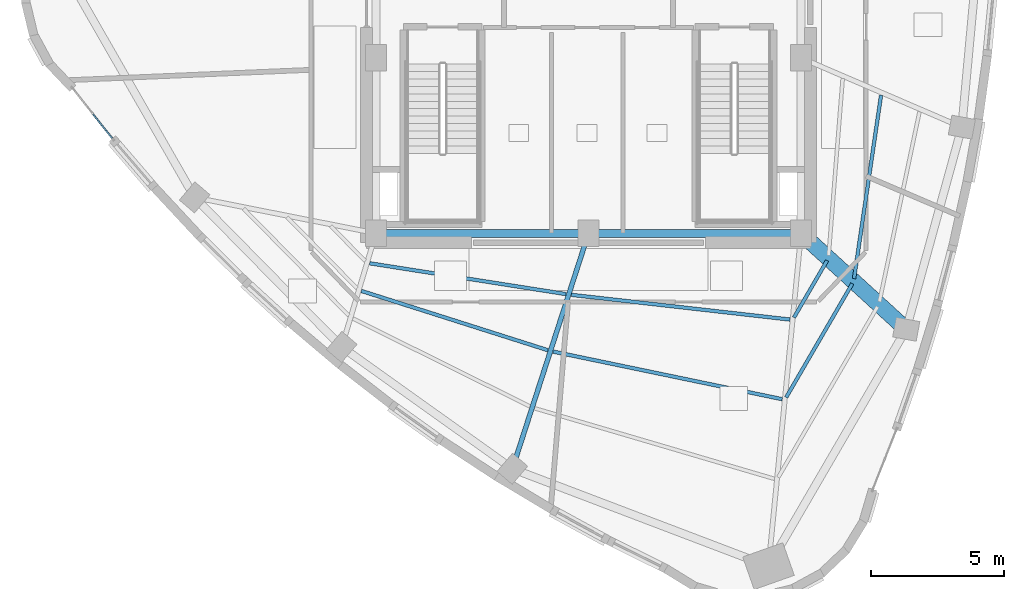
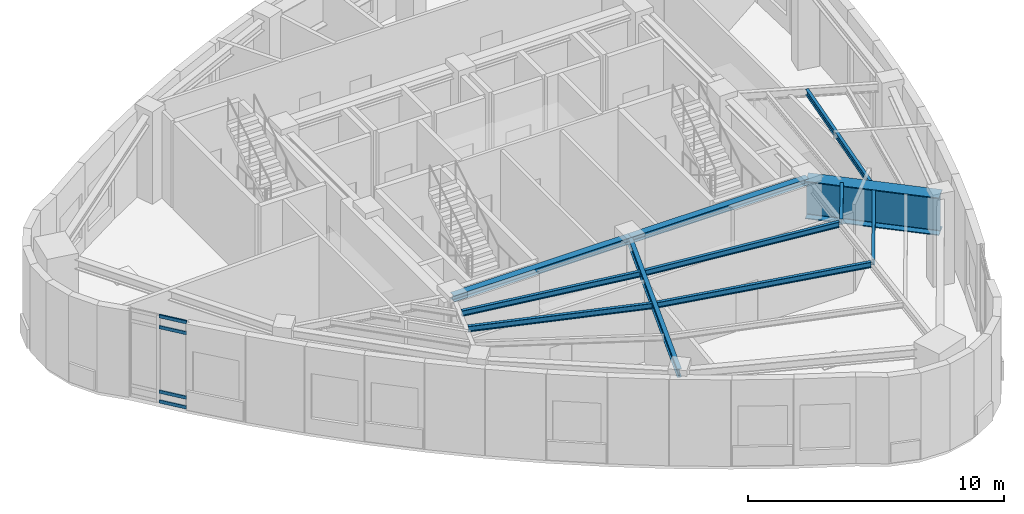
# One storey, part 3 of 14: 11 beams, 4 members, 1 element without a shape of its own.
"""IFC4 building model written with IfcOpenShell, lengths in metres."""

from ifc_helpers import new_model, si_unit, direction, frame, origin, origin_2d, place, context, subcontext, project, spatial, hollow_rectangle, i_section, extrude, material, layer, layer_set, material_profile, profile_set, type_object, element, aggregate, save


model = new_model("IFC4")

# Units and contexts
model_context = context("Model", 3, precision=1e-05, world=origin(), true_north=direction((0.0, 1.0)))
body_context = subcontext(model_context, "Body", "Model", "MODEL_VIEW")
ifc_project = project(units=[si_unit("LENGTHUNIT", "METRE"), si_unit("AREAUNIT", "SQUARE_METRE"), si_unit("VOLUMEUNIT", "CUBIC_METRE"), si_unit("PLANEANGLEUNIT", "RADIAN"), si_unit("MASSUNIT", "GRAM", prefix="KILO")], contexts=[model_context])

# Site, building, storey
site_placement = place(None, origin())
site = spatial("IfcSite", under=ifc_project, at=site_placement, CompositionType="ELEMENT")
building_placement = place(site_placement, origin())
building = spatial("IfcBuilding", under=site, at=building_placement, Name="Ndelora Gate Hotel", CompositionType="ELEMENT")
storey_placement = place(building_placement, frame((0.0, 0.0, 281.60009765625)))
storey = spatial("IfcBuildingStorey", under=building, at=storey_placement, Name="L70", CompositionType="ELEMENT", Elevation=281.60009765625)

# Beams
ifc_material_1 = material(Name="Steel S355", Category="steel")
ifc_material_profile_1 = material_profile(ifc_material_1, i_section(OverallWidth=0.300048828125, OverallDepth=0.300048828125, WebThickness=0.010986328125, FlangeThickness=0.01904296875, FilletRadius=0.027099609375, at=origin_2d()), Name="HEB 300")
ifc_profile_set_1 = profile_set([ifc_material_profile_1], Name="Steel S355")
beam_type_1 = type_object("IfcBeamType", Name="BM-CORE-300", PredefinedType="BEAM", material=ifc_profile_set_1)
for number, where, z_axis, x_axis, name in (
    (1, (-8.0, -6.60009765625, 3.97998046875), (1.0, 0.0, 0.0), (0.0, 1.0, 0.0), "L70 Core Tie Girder CC1-CC2"),
    (2, (0.0, -6.60009765625, 3.97998046875), (1.0, 0.0, 0.0), (0.0, 1.0, 0.0), "L70 Core Tie Girder CC2-CC3"),
):
    element("IfcBeam", number, at=place(storey_placement, frame(where, z_axis=z_axis, x_axis=x_axis)), inside=storey, type_object=beam_type_1, Name=name, PredefinedType="BEAM", context=body_context, shape_type="SweptSolid", body=[
        extrude(i_section(OverallWidth=0.300048828125, OverallDepth=0.300048828125, WebThickness=0.010986328125, FlangeThickness=0.01904296875, FilletRadius=0.027099609375, at=origin_2d()), origin(), (0.0, 0.0, 1.0), 8.0),
    ])
ifc_material_profile_2 = material_profile(ifc_material_1, i_section(OverallWidth=0.135009765625, OverallDepth=0.27001953125, WebThickness=0.006591796875, FlangeThickness=0.01025390625, FilletRadius=0.014892578125, at=origin_2d()), Name="IPE 270")
ifc_profile_set_2 = profile_set([ifc_material_profile_2], Name="Steel S355")
beam_type_2 = type_object("IfcBeamType", Name="BM-JST-270", PredefinedType="JOIST", material=ifc_profile_set_2)
beam_1_placement = place(storey_placement, frame((-8.236328125, -7.727294921875, 3.994873046875), z_axis=(0.987888558734, -0.155165058961, 0.0), x_axis=(0.155165058961, 0.987888558734, 0.0)))
element("IfcBeam", 3, at=beam_1_placement, inside=storey, type_object=beam_type_2, Name="L70 Secondary Composite Floor Joist IN-3", PredefinedType="JOIST", context=body_context, shape_type="SweptSolid", body=[
    extrude(i_section(OverallWidth=0.135009765625, OverallDepth=0.27001953125, WebThickness=0.006591796875, FlangeThickness=0.01025390625, FilletRadius=0.014892578125, at=origin_2d()), origin(), (0.0, 0.0, 1.0), 7.483154296875),
])
beam_2_placement = place(storey_placement, frame((-8.54931640625, -8.768310546875, 3.994873046875), z_axis=(0.95300799864, -0.302945134517, 0.0), x_axis=(0.302945134517, 0.95300799864, 0.0)))
element("IfcBeam", 4, at=beam_2_placement, inside=storey, type_object=beam_type_2, Name="L70 Secondary Composite Floor Joist MID-3", PredefinedType="JOIST", context=body_context, shape_type="SweptSolid", body=[
    extrude(i_section(OverallWidth=0.135009765625, OverallDepth=0.27001953125, WebThickness=0.006591796875, FlangeThickness=0.01025390625, FilletRadius=0.014892578125, at=origin_2d()), origin(), (0.0, 0.0, 1.0), 7.367431640625),
])
beam_3_placement = place(storey_placement, frame((-0.645751953125, -8.9150390625, 3.994873046875), z_axis=(0.993666082795, -0.112373110227, 0.0), x_axis=(0.112373110227, 0.993666082795, 0.0)))
element("IfcBeam", 5, at=beam_3_placement, inside=storey, type_object=beam_type_2, Name="L70 Secondary Composite Floor Joist IN-4", PredefinedType="JOIST", context=body_context, shape_type="SweptSolid", body=[
    extrude(i_section(OverallWidth=0.135009765625, OverallDepth=0.27001953125, WebThickness=0.006591796875, FlangeThickness=0.01025390625, FilletRadius=0.014892578125, at=origin_2d()), origin(), (0.0, 0.0, 1.0), 8.27978515625),
])
beam_4_placement = place(storey_placement, frame((-1.334716796875, -11.05078125, 3.994873046875), z_axis=(0.979088439748, -0.203435068637, 0.0), x_axis=(0.203435068637, 0.979088439748, 0.0)))
element("IfcBeam", 6, at=beam_4_placement, inside=storey, type_object=beam_type_2, Name="L70 Secondary Composite Floor Joist MID-4", PredefinedType="JOIST", context=body_context, shape_type="SweptSolid", body=[
    extrude(i_section(OverallWidth=0.135009765625, OverallDepth=0.27001953125, WebThickness=0.006591796875, FlangeThickness=0.01025390625, FilletRadius=0.014892578125, at=origin_2d()), origin(), (0.0, 0.0, 1.0), 8.807373046875),
])
beam_5_placement = place(storey_placement, frame((7.731201171875, -9.770263671875, 3.994873046875), z_axis=(0.502726490322, 0.864445530921, 0.0), x_axis=(-0.864445530921, 0.502726490322, 0.0)))
element("IfcBeam", 7, at=beam_5_placement, inside=storey, type_object=beam_type_2, Name="L70 Secondary Composite Floor Joist IN-5", PredefinedType="JOIST", context=body_context, shape_type="SweptSolid", body=[
    extrude(i_section(OverallWidth=0.135009765625, OverallDepth=0.27001953125, WebThickness=0.006591796875, FlangeThickness=0.01025390625, FilletRadius=0.014892578125, at=origin_2d()), origin(), (0.0, 0.0, 1.0), 2.481201171875),
])
beam_6_placement = place(storey_placement, frame((7.436767578125, -12.776611328125, 3.98486328125), z_axis=(0.50271891842, 0.864449934388, 0.0), x_axis=(-0.864449934388, 0.50271891842, 0.0)))
element("IfcBeam", 8, at=beam_6_placement, inside=storey, type_object=beam_type_2, Name="L70 Secondary Composite Floor Joist MID-5", PredefinedType="JOIST", context=body_context, shape_type="SweptSolid", body=[
    extrude(i_section(OverallWidth=0.135009765625, OverallDepth=0.27001953125, WebThickness=0.006591796875, FlangeThickness=0.01025390625, FilletRadius=0.014892578125, at=origin_2d()), origin(), (0.0, 0.0, 1.0), 4.9560546875),
])
beam_7_placement = place(storey_placement, frame((9.992919921875, -8.30712890625, 3.98486328125), z_axis=(0.145767847032, 0.989318823621, 0.0), x_axis=(-0.989318823621, 0.145767847032, 0.0)))
element("IfcBeam", 9, at=beam_7_placement, inside=storey, type_object=beam_type_2, Name="L70 Secondary Composite Floor Joist MID-6", PredefinedType="JOIST", context=body_context, shape_type="SweptSolid", body=[
    extrude(i_section(OverallWidth=0.135009765625, OverallDepth=0.27001953125, WebThickness=0.006591796875, FlangeThickness=0.01025390625, FilletRadius=0.014892578125, at=origin_2d()), origin(), (0.0, 0.0, 1.0), 6.980712890625),
])
ifc_material_profile_3 = material_profile(ifc_material_1, i_section(OverallWidth=0.179931640625, OverallDepth=0.39990234375, WebThickness=0.008544921875, FlangeThickness=0.013427734375, FilletRadius=0.02099609375, at=origin_2d()), Name="IPE 400")
ifc_profile_set_3 = profile_set([ifc_material_profile_3], Name="Steel S355")
beam_type_3 = type_object("IfcBeamType", Name="BM-RAD-400", PredefinedType="BEAM", material=ifc_profile_set_3)
beam_8_placement = place(storey_placement, frame((0.0, -6.60009765625, 3.929931640625), z_axis=(-0.307689759964, -0.951486737487, 0.0), x_axis=(0.951486737487, -0.307689759964, 0.0)))
element("IfcBeam", 10, at=beam_8_placement, inside=storey, type_object=beam_type_3, Name="L70 Radial Floor Girder 4", PredefinedType="BEAM", context=body_context, shape_type="SweptSolid", body=[
    extrude(i_section(OverallWidth=0.179931640625, OverallDepth=0.39990234375, WebThickness=0.008544921875, FlangeThickness=0.013427734375, FilletRadius=0.02099609375, at=origin_2d()), origin(), (0.0, 0.0, 1.0), 9.31298828125),
])
ifc_material_2 = material(Name="Steel S460", Category="steel")
ifc_material_profile_4 = material_profile(ifc_material_2, i_section(OverallWidth=0.60009765625, OverallDepth=1.800048828125, WebThickness=0.028076171875, FlangeThickness=0.0400390625, FilletRadius=0.02392578125, at=origin_2d()), Name="PG 1800x600x40")
ifc_profile_set_4 = profile_set([ifc_material_profile_4], Name="Steel S460")
beam_type_4 = type_object("IfcBeamType", Name="BM-TR-1800", PredefinedType="BEAM", material=ifc_profile_set_4)
beam_9_placement = place(storey_placement, frame((8.0, -6.60009765625, 3.219970703125), z_axis=(0.73854665752, -0.674202369223, 0.0), x_axis=(0.674202369223, 0.73854665752, 0.0)))
element("IfcBeam", 11, at=beam_9_placement, inside=storey, type_object=beam_type_4, Name="L70 East Crown South Transfer Girder TG-1", PredefinedType="BEAM", context=body_context, shape_type="SweptSolid", body=[
    extrude(i_section(OverallWidth=0.60009765625, OverallDepth=1.800048828125, WebThickness=0.028076171875, FlangeThickness=0.0400390625, FilletRadius=0.02392578125, at=origin_2d()), origin(), (0.0, 0.0, 1.0), 5.357421875),
])

# Curtain wall, members
ifc_material_3 = material(Name="Bronze Anodised Unitised Aluminium and Low-E Glass", Category="aluminium")
ifc_layer = layer(ifc_material_3, 0.219970703125)
ifc_layer_set = layer_set([ifc_layer], Name="Bronze Anodised Unitised Aluminium and Low-E Glass")
curtain_wall_type = type_object("IfcCurtainWallType", Name="CW-SYS-6", PredefinedType="NOTDEFINED", material=ifc_layer_set)
curtain_wall_placement = place(storey_placement, origin())
curtain_wall = element("IfcCurtainWall", 12, at=curtain_wall_placement, inside=storey, type_object=curtain_wall_type, Name="L70 Crown Sky-Restaurant & Cocktail Bar Curtain Wall 1", PredefinedType="NOTDEFINED")
ifc_material_4 = material(Name="Bronze Anodised Aluminium 6063-T6", Category="aluminium")
ifc_material_profile_5 = material_profile(ifc_material_4, hollow_rectangle(XDim=0.06494140625, YDim=0.159912109375, WallThickness=0.00390625, InnerFilletRadius=0.00390625, OuterFilletRadius=0.008056640625, at=origin_2d()), Name="ALU 160x65x4")
ifc_profile_set_5 = profile_set([ifc_material_profile_5], Name="Bronze Anodised Aluminium 6063-T6")
member_type = type_object("IfcMemberType", Name="MB-CW-TRN150", PredefinedType="USERDEFINED", material=ifc_profile_set_5)
member_1_placement = place(storey_placement, frame((-18.64794921875, -2.11474609375, 0.032470703125), z_axis=(0.621514709143, -0.783402493179, 0.0), x_axis=(0.783402493179, 0.621514709143, 0.0)))
member_1 = element("IfcMember", 13, at=member_1_placement, type_object=member_type, Name="CW6 transom 2.1", ObjectType="TRANSOM", PredefinedType="USERDEFINED", context=body_context, shape_type="SweptSolid", body=[
    extrude(hollow_rectangle(XDim=0.06494140625, YDim=0.159912109375, WallThickness=0.00390625, InnerFilletRadius=0.00390625, OuterFilletRadius=0.008056640625, at=origin_2d()), origin(), (0.0, 0.0, 1.0), 1.162841796875),
])
member_2_placement = place(storey_placement, frame((-18.64794921875, -2.11474609375, 0.5), z_axis=(0.621514709143, -0.783402493179, 0.0), x_axis=(0.783402493179, 0.621514709143, 0.0)))
member_2 = element("IfcMember", 14, at=member_2_placement, type_object=member_type, Name="CW6 transom 2.2", ObjectType="TRANSOM", PredefinedType="USERDEFINED", context=body_context, shape_type="SweptSolid", body=[
    extrude(hollow_rectangle(XDim=0.06494140625, YDim=0.159912109375, WallThickness=0.00390625, InnerFilletRadius=0.00390625, OuterFilletRadius=0.008056640625, at=origin_2d()), origin(), (0.0, 0.0, 1.0), 1.162841796875),
])
member_3_placement = place(storey_placement, frame((-18.64794921875, -2.11474609375, 3.579833984375), z_axis=(0.621514709143, -0.783402493179, 0.0), x_axis=(0.783402493179, 0.621514709143, 0.0)))
member_3 = element("IfcMember", 15, at=member_3_placement, type_object=member_type, Name="CW6 transom 2.3", ObjectType="TRANSOM", PredefinedType="USERDEFINED", context=body_context, shape_type="SweptSolid", body=[
    extrude(hollow_rectangle(XDim=0.06494140625, YDim=0.159912109375, WallThickness=0.00390625, InnerFilletRadius=0.00390625, OuterFilletRadius=0.008056640625, at=origin_2d()), origin(), (0.0, 0.0, 1.0), 1.162841796875),
])
member_4_placement = place(storey_placement, frame((-18.64794921875, -2.11474609375, 4.097412109375), z_axis=(0.621514709143, -0.783402493179, 0.0), x_axis=(0.783402493179, 0.621514709143, 0.0)))
member_4 = element("IfcMember", 16, at=member_4_placement, type_object=member_type, Name="CW6 transom 2.4", ObjectType="TRANSOM", PredefinedType="USERDEFINED", context=body_context, shape_type="SweptSolid", body=[
    extrude(hollow_rectangle(XDim=0.06494140625, YDim=0.159912109375, WallThickness=0.00390625, InnerFilletRadius=0.00390625, OuterFilletRadius=0.008056640625, at=origin_2d()), origin(), (0.0, 0.0, 1.0), 1.162841796875),
])
aggregate(curtain_wall, [member_1, member_2, member_3, member_4])

save(model, "model.ifc")
